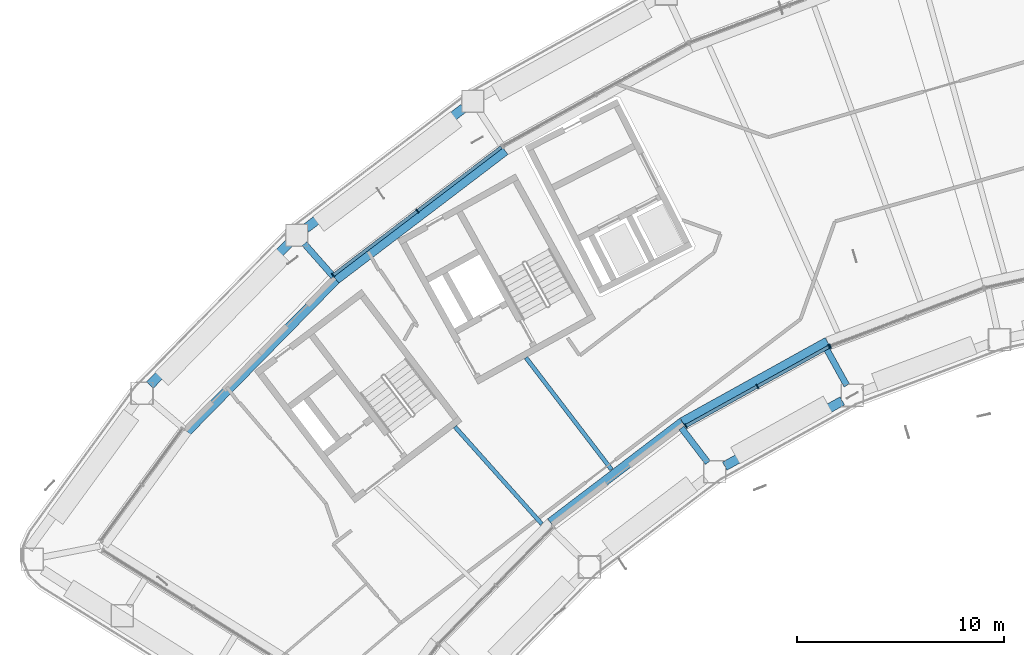
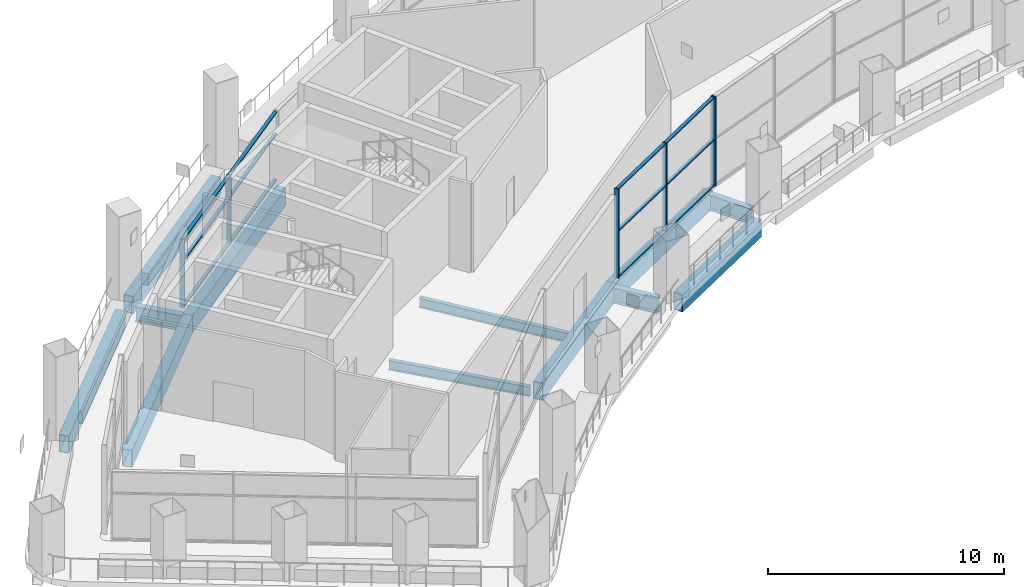
# One storey, part 3 of 28: 18 members, 12 beams, 3 elements without a shape of their own.
"""IFC4 building model written with IfcOpenShell, lengths in metres."""

from ifc_helpers import new_model, si_unit, direction, frame, origin, origin_2d, place, context, subcontext, project, spatial, rectangle, hollow_rectangle, i_section, extrude, material, layer, layer_set, material_profile, profile_set, type_object, element, aggregate, save


model = new_model("IFC4")

# Units and contexts
model_context = context("Model", 3, precision=1e-05, world=origin(), true_north=direction((0.0, 1.0)))
body_context = subcontext(model_context, "Body", "Model", "MODEL_VIEW")
ifc_project = project(units=[si_unit("LENGTHUNIT", "METRE"), si_unit("AREAUNIT", "SQUARE_METRE"), si_unit("VOLUMEUNIT", "CUBIC_METRE"), si_unit("PLANEANGLEUNIT", "RADIAN"), si_unit("MASSUNIT", "GRAM", prefix="KILO")], contexts=[model_context])

# Site, building, storey
site_placement = place(None, origin())
site = spatial("IfcSite", under=ifc_project, at=site_placement, CompositionType="ELEMENT")
building_placement = place(site_placement, origin())
building = spatial("IfcBuilding", under=site, at=building_placement, Name="Tuul Gate Civic Tower", CompositionType="ELEMENT")
storey_placement = place(building_placement, frame((0.0, 0.0, 128.699951171875)))
storey = spatial("IfcBuildingStorey", under=building, at=storey_placement, Name="Sky garden level 1", CompositionType="ELEMENT", Elevation=128.699951171875)

# Curtain wall, members
ifc_material_1 = material(Name="Aluminium", Category="aluminium")
ifc_layer_1 = layer(ifc_material_1, 0.199951171875)
ifc_layer_set_1 = layer_set([ifc_layer_1], Name="Aluminium")
curtain_wall_type_1 = type_object("IfcCurtainWallType", Name="Curtain wall CW3", PredefinedType="NOTDEFINED", material=ifc_layer_set_1)
curtain_wall_1_placement = place(storey_placement, origin())
curtain_wall_1 = element("IfcCurtainWall", 1, at=curtain_wall_1_placement, inside=storey, type_object=curtain_wall_type_1, Name="Curtain wall CW3", PredefinedType="NOTDEFINED")
ifc_material_2 = material(Name="Aluminium", Category="aluminium")
ifc_material_profile_1 = material_profile(ifc_material_2, rectangle(XDim=0.219970703125, YDim=0.06005859375, at=origin_2d()), Name="CW3 mullion")
ifc_profile_set_1 = profile_set([ifc_material_profile_1], Name="Aluminium")
member_type_1 = type_object("IfcMemberType", Name="CW3 mullion", PredefinedType="MULLION", material=ifc_profile_set_1)
member_1_placement = place(storey_placement, frame((-20.296875, -14.0205078125, 0.0), z_axis=(0.0, 0.0, 1.0), x_axis=(-0.484811561479, 0.874618631094, 0.0)))
member_1 = element("IfcMember", 2, at=member_1_placement, type_object=member_type_1, Name="Mullion", PredefinedType="MULLION", context=body_context, shape_type="SweptSolid", body=[
    extrude(rectangle(XDim=0.219970703125, YDim=0.06005859375, at=origin_2d()), origin(), (0.0, 0.0, 1.0), 4.60009765625),
])
member_2_placement = place(storey_placement, frame((-16.83837890625, -12.103515625, 0.0), z_axis=(0.0, 0.0, 1.0), x_axis=(-0.484811561479, 0.874618631094, 0.0)))
member_2 = element("IfcMember", 3, at=member_2_placement, type_object=member_type_1, Name="Mullion", PredefinedType="MULLION", context=body_context, shape_type="SweptSolid", body=[
    extrude(rectangle(XDim=0.219970703125, YDim=0.06005859375, at=origin_2d()), origin(), (0.0, 0.0, 1.0), 4.60009765625),
])
member_3_placement = place(storey_placement, frame((-13.380126953125, -10.1865234375, 0.0), z_axis=(0.0, 0.0, 1.0), x_axis=(-0.484811561479, 0.874618631094, 0.0)))
member_3 = element("IfcMember", 4, at=member_3_placement, type_object=member_type_1, Name="Mullion", PredefinedType="MULLION", context=body_context, shape_type="SweptSolid", body=[
    extrude(rectangle(XDim=0.219970703125, YDim=0.06005859375, at=origin_2d()), origin(), (0.0, 0.0, 1.0), 4.60009765625),
])

# Curtain wall, member
curtain_wall_2_placement = place(storey_placement, origin())
curtain_wall_2 = element("IfcCurtainWall", 5, at=curtain_wall_2_placement, inside=storey, type_object=curtain_wall_type_1, Name="Curtain wall CW3", PredefinedType="NOTDEFINED")
member_4_placement = place(storey_placement, frame((-13.325927734375, -10.161376953125, 0.0), z_axis=(0.0, 0.0, 1.0), x_axis=(-0.353734858569, 0.935345738127, 0.0)))
member_4 = element("IfcMember", 6, at=member_4_placement, type_object=member_type_1, Name="Mullion", PredefinedType="MULLION", context=body_context, shape_type="SweptSolid", body=[
    extrude(rectangle(XDim=0.219970703125, YDim=0.06005859375, at=origin_2d()), origin(), (0.0, 0.0, 1.0), 4.60009765625),
])
aggregate(curtain_wall_2, [member_4])

# Member
ifc_material_3 = material(Name="Aluminium", Category="aluminium")
ifc_material_profile_2 = material_profile(ifc_material_3, rectangle(XDim=0.159912109375, YDim=0.06005859375, at=origin_2d()), Name="CW3 transom")
ifc_profile_set_2 = profile_set([ifc_material_profile_2], Name="Aluminium")
member_type_2 = type_object("IfcMemberType", Name="CW3 transom", PredefinedType="USERDEFINED", material=ifc_profile_set_2)
member_5_placement = place(storey_placement, frame((-20.2705078125, -14.005859375, 0.030029296875), z_axis=(0.874635957461, 0.484780302731, 0.0), x_axis=(-0.484780302731, 0.874635957461, 0.0)))
member_5 = element("IfcMember", 7, at=member_5_placement, type_object=member_type_2, Name="Transom", ObjectType="TRANSOM", PredefinedType="USERDEFINED", context=body_context, shape_type="SweptSolid", body=[
    extrude(rectangle(XDim=0.159912109375, YDim=0.06005859375, at=origin_2d()), origin(), (0.0, 0.0, 1.0), 3.893798828125),
])

member_6_placement = place(storey_placement, frame((-20.2705078125, -14.005859375, 2.400146484375), z_axis=(0.874635957461, 0.484780302731, 0.0), x_axis=(-0.484780302731, 0.874635957461, 0.0)))
member_6 = element("IfcMember", 8, at=member_6_placement, type_object=member_type_2, Name="Transom", ObjectType="TRANSOM", PredefinedType="USERDEFINED", context=body_context, shape_type="SweptSolid", body=[
    extrude(rectangle(XDim=0.159912109375, YDim=0.06005859375, at=origin_2d()), origin(), (0.0, 0.0, 1.0), 3.893798828125),
])

member_7_placement = place(storey_placement, frame((-20.2705078125, -14.005859375, 4.570068359375), z_axis=(0.874635957461, 0.484780302731, 0.0), x_axis=(-0.484780302731, 0.874635957461, 0.0)))
member_7 = element("IfcMember", 9, at=member_7_placement, type_object=member_type_2, Name="Transom", ObjectType="TRANSOM", PredefinedType="USERDEFINED", context=body_context, shape_type="SweptSolid", body=[
    extrude(rectangle(XDim=0.159912109375, YDim=0.06005859375, at=origin_2d()), origin(), (0.0, 0.0, 1.0), 3.893798828125),
])

member_8_placement = place(storey_placement, frame((-16.812255859375, -12.0888671875, 0.030029296875), z_axis=(0.874635957461, 0.484780302731, 0.0), x_axis=(-0.484780302731, 0.874635957461, 0.0)))
member_8 = element("IfcMember", 10, at=member_8_placement, type_object=member_type_2, Name="Transom", ObjectType="TRANSOM", PredefinedType="USERDEFINED", context=body_context, shape_type="SweptSolid", body=[
    extrude(rectangle(XDim=0.159912109375, YDim=0.06005859375, at=origin_2d()), origin(), (0.0, 0.0, 1.0), 3.893798828125),
])

member_9_placement = place(storey_placement, frame((-16.812255859375, -12.0888671875, 2.400146484375), z_axis=(0.874635957461, 0.484780302731, 0.0), x_axis=(-0.484780302731, 0.874635957461, 0.0)))
member_9 = element("IfcMember", 11, at=member_9_placement, type_object=member_type_2, Name="Transom", ObjectType="TRANSOM", PredefinedType="USERDEFINED", context=body_context, shape_type="SweptSolid", body=[
    extrude(rectangle(XDim=0.159912109375, YDim=0.06005859375, at=origin_2d()), origin(), (0.0, 0.0, 1.0), 3.893798828125),
])

member_10_placement = place(storey_placement, frame((-16.812255859375, -12.0888671875, 4.570068359375), z_axis=(0.874635957461, 0.484780302731, 0.0), x_axis=(-0.484780302731, 0.874635957461, 0.0)))
member_10 = element("IfcMember", 12, at=member_10_placement, type_object=member_type_2, Name="Transom", ObjectType="TRANSOM", PredefinedType="USERDEFINED", context=body_context, shape_type="SweptSolid", body=[
    extrude(rectangle(XDim=0.159912109375, YDim=0.06005859375, at=origin_2d()), origin(), (0.0, 0.0, 1.0), 3.893798828125),
])

aggregate(curtain_wall_1, [member_1, member_2, member_3, member_5, member_6, member_7, member_8, member_9, member_10])

# Curtain wall, members
ifc_material_4 = material(Name="Aluminium", Category="aluminium")
ifc_layer_2 = layer(ifc_material_4, 0.199951171875)
ifc_layer_set_2 = layer_set([ifc_layer_2], Name="Aluminium")
curtain_wall_type_2 = type_object("IfcCurtainWallType", Name="Curtain wall CW3A", PredefinedType="NOTDEFINED", material=ifc_layer_set_2)
curtain_wall_3_placement = place(storey_placement, origin())
curtain_wall_3 = element("IfcCurtainWall", 13, at=curtain_wall_3_placement, inside=storey, type_object=curtain_wall_type_2, Name="Curtain wall CW3A", PredefinedType="NOTDEFINED")
ifc_material_5 = material(Name="Aluminium", Category="aluminium")
ifc_material_profile_3 = material_profile(ifc_material_5, rectangle(XDim=0.219970703125, YDim=0.06005859375, at=origin_2d()), Name="CW3A mullion")
ifc_profile_set_3 = profile_set([ifc_material_profile_3], Name="Aluminium")
member_type_3 = type_object("IfcMemberType", Name="CW3A mullion", PredefinedType="MULLION", material=ifc_profile_set_3)
member_11_placement = place(storey_placement, frame((-33.24609375, -3.638916015625, 0.0), z_axis=(0.0, 0.0, 1.0), x_axis=(0.60576239149, -0.795645602675, 0.0)))
member_11 = element("IfcMember", 14, at=member_11_placement, type_object=member_type_3, Name="Mullion", PredefinedType="MULLION", context=body_context, shape_type="SweptSolid", body=[
    extrude(rectangle(XDim=0.219970703125, YDim=0.06005859375, at=origin_2d()), origin(), (0.0, 0.0, 1.0), 3.545166015625),
])
member_12_placement = place(storey_placement, frame((-37.320068359375, -6.74072265625, 0.0), z_axis=(0.0, 0.0, 1.0), x_axis=(0.60576239149, -0.795645602675, 0.0)))
member_12 = element("IfcMember", 15, at=member_12_placement, type_object=member_type_3, Name="Mullion", PredefinedType="MULLION", context=body_context, shape_type="SweptSolid", body=[
    extrude(rectangle(XDim=0.219970703125, YDim=0.06005859375, at=origin_2d()), origin(), (0.0, 0.0, 1.0), 3.545166015625),
])
ifc_material_6 = material(Name="Aluminium", Category="aluminium")
ifc_material_profile_4 = material_profile(ifc_material_6, rectangle(XDim=0.159912109375, YDim=0.06005859375, at=origin_2d()), Name="CW3A transom")
ifc_profile_set_4 = profile_set([ifc_material_profile_4], Name="Aluminium")
member_type_4 = type_object("IfcMemberType", Name="CW3A transom", PredefinedType="USERDEFINED", material=ifc_profile_set_4)
member_13_placement = place(storey_placement, frame((-29.19580078125, -0.555419921875, 0.030029296875), z_axis=(-0.795648734773, -0.605758277578, 0.0), x_axis=(0.605758277578, -0.795648734773, 0.0)))
member_13 = element("IfcMember", 16, at=member_13_placement, type_object=member_type_4, Name="Transom", ObjectType="TRANSOM", PredefinedType="USERDEFINED", context=body_context, shape_type="SweptSolid", body=[
    extrude(rectangle(XDim=0.159912109375, YDim=0.06005859375, at=origin_2d()), origin(), (0.0, 0.0, 1.0), 5.060546875),
])
member_14_placement = place(storey_placement, frame((-29.19580078125, -0.555419921875, 2.400146484375), z_axis=(-0.795648734773, -0.605758277578, 0.0), x_axis=(0.605758277578, -0.795648734773, 0.0)))
member_14 = element("IfcMember", 17, at=member_14_placement, type_object=member_type_4, Name="Transom", ObjectType="TRANSOM", PredefinedType="USERDEFINED", context=body_context, shape_type="SweptSolid", body=[
    extrude(rectangle(XDim=0.159912109375, YDim=0.06005859375, at=origin_2d()), origin(), (0.0, 0.0, 1.0), 5.060546875),
])
member_15_placement = place(storey_placement, frame((-29.19580078125, -0.555419921875, 3.51513671875), z_axis=(-0.795648734773, -0.605758277578, 0.0), x_axis=(0.605758277578, -0.795648734773, 0.0)))
member_15 = element("IfcMember", 18, at=member_15_placement, type_object=member_type_4, Name="Transom", ObjectType="TRANSOM", PredefinedType="USERDEFINED", context=body_context, shape_type="SweptSolid", body=[
    extrude(rectangle(XDim=0.159912109375, YDim=0.06005859375, at=origin_2d()), origin(), (0.0, 0.0, 1.0), 5.060546875),
])
member_16_placement = place(storey_placement, frame((-33.269775390625, -3.6572265625, 0.030029296875), z_axis=(-0.795648734773, -0.605758277578, 0.0), x_axis=(0.605758277578, -0.795648734773, 0.0)))
member_16 = element("IfcMember", 19, at=member_16_placement, type_object=member_type_4, Name="Transom", ObjectType="TRANSOM", PredefinedType="USERDEFINED", context=body_context, shape_type="SweptSolid", body=[
    extrude(rectangle(XDim=0.159912109375, YDim=0.06005859375, at=origin_2d()), origin(), (0.0, 0.0, 1.0), 5.060546875),
])
member_17_placement = place(storey_placement, frame((-33.269775390625, -3.6572265625, 2.400146484375), z_axis=(-0.795648734773, -0.605758277578, 0.0), x_axis=(0.605758277578, -0.795648734773, 0.0)))
member_17 = element("IfcMember", 20, at=member_17_placement, type_object=member_type_4, Name="Transom", ObjectType="TRANSOM", PredefinedType="USERDEFINED", context=body_context, shape_type="SweptSolid", body=[
    extrude(rectangle(XDim=0.159912109375, YDim=0.06005859375, at=origin_2d()), origin(), (0.0, 0.0, 1.0), 5.060546875),
])
member_18_placement = place(storey_placement, frame((-33.269775390625, -3.6572265625, 3.51513671875), z_axis=(-0.795648734773, -0.605758277578, 0.0), x_axis=(0.605758277578, -0.795648734773, 0.0)))
member_18 = element("IfcMember", 21, at=member_18_placement, type_object=member_type_4, Name="Transom", ObjectType="TRANSOM", PredefinedType="USERDEFINED", context=body_context, shape_type="SweptSolid", body=[
    extrude(rectangle(XDim=0.159912109375, YDim=0.06005859375, at=origin_2d()), origin(), (0.0, 0.0, 1.0), 5.060546875),
])
aggregate(curtain_wall_3, [member_11, member_12, member_13, member_14, member_15, member_16, member_17, member_18])

# Beams
ifc_material_7 = material(Name="Steel S355", Category="steel")
ifc_material_profile_5 = material_profile(ifc_material_7, i_section(OverallWidth=0.199951171875, OverallDepth=0.5, WebThickness=0.010009765625, FlangeThickness=0.01611328125, at=origin_2d()), Name="PG500x200x10x16")
ifc_profile_set_5 = profile_set([ifc_material_profile_5], Name="Steel S355")
beam_type_1 = type_object("IfcBeamType", Name="STR-FLOOR BEAM-PG500x200x10x16", PredefinedType="BEAM", material=ifc_profile_set_5)
beam_1_placement = place(storey_placement, frame((-23.8818359375, -16.116455078125, -0.550048828125), z_axis=(-0.607358125827, 0.794428163519, 0.0), x_axis=(-0.794428163519, -0.607358125827, 0.0)))
element("IfcBeam", 22, at=beam_1_placement, inside=storey, type_object=beam_type_1, Name="Floor beam", PredefinedType="BEAM", context=body_context, shape_type="SweptSolid", body=[
    extrude(i_section(OverallWidth=0.199951171875, OverallDepth=0.5, WebThickness=0.010009765625, FlangeThickness=0.01611328125, at=origin_2d()), origin(), (0.0, 0.0, 1.0), 6.798095703125),
])
beam_2_placement = place(storey_placement, frame((-27.24560546875, -18.74267578125, -0.550048828125), z_axis=(-0.666505751807, 0.745499887866, 0.0), x_axis=(-0.745499887866, -0.666505751807, 0.0)))
element("IfcBeam", 23, at=beam_2_placement, inside=storey, type_object=beam_type_1, Name="Floor beam", PredefinedType="BEAM", context=body_context, shape_type="SweptSolid", body=[
    extrude(i_section(OverallWidth=0.199951171875, OverallDepth=0.5, WebThickness=0.010009765625, FlangeThickness=0.01611328125, at=origin_2d()), origin(), (0.0, 0.0, 1.0), 6.295654296875),
])
ifc_material_8 = material(Name="Steel S355", Category="steel")
ifc_material_profile_6 = material_profile(ifc_material_8, i_section(OverallWidth=0.300048828125, OverallDepth=0.800048828125, WebThickness=0.013916015625, FlangeThickness=0.02490234375, at=origin_2d()), Name="PG800x300x14x25")
ifc_profile_set_6 = profile_set([ifc_material_profile_6], Name="Steel S355")
beam_type_2 = type_object("IfcBeamType", Name="STR-FLOOR BEAM-PG800x300x14x25", PredefinedType="BEAM", material=ifc_profile_set_6)
beam_3_placement = place(storey_placement, frame((-38.705078125, -5.21630859375, -0.699951171875), z_axis=(0.661786335619, -0.749692500955, 0.0), x_axis=(0.749692500955, 0.661786335619, 0.0)))
element("IfcBeam", 24, at=beam_3_placement, inside=storey, type_object=beam_type_2, Name="Terrace beam", PredefinedType="BEAM", context=body_context, shape_type="SweptSolid", body=[
    extrude(i_section(OverallWidth=0.300048828125, OverallDepth=0.800048828125, WebThickness=0.013916015625, FlangeThickness=0.02490234375, at=origin_2d()), origin(), (0.0, 0.0, 1.0), 2.10791015625),
])
beam_4_placement = place(storey_placement, frame((-19.231201171875, -15.780517578125, -0.699951171875), z_axis=(-0.605787496975, 0.795626488064, 0.0), x_axis=(-0.795626488064, -0.605787496975, 0.0)))
element("IfcBeam", 25, at=beam_4_placement, inside=storey, type_object=beam_type_2, Name="Terrace beam", PredefinedType="BEAM", context=body_context, shape_type="SweptSolid", body=[
    extrude(i_section(OverallWidth=0.300048828125, OverallDepth=0.800048828125, WebThickness=0.013916015625, FlangeThickness=0.02490234375, at=origin_2d()), origin(), (0.0, 0.0, 1.0), 2.10009765625),
])
beam_5_placement = place(storey_placement, frame((-12.524658203125, -12.055908203125, -0.699951171875), z_axis=(-0.484852962981, 0.874595680465, 0.0), x_axis=(-0.874595680465, -0.484852962981, 0.0)))
element("IfcBeam", 26, at=beam_5_placement, inside=storey, type_object=beam_type_2, Name="Terrace beam", PredefinedType="BEAM", context=body_context, shape_type="SweptSolid", body=[
    extrude(i_section(OverallWidth=0.300048828125, OverallDepth=0.800048828125, WebThickness=0.013916015625, FlangeThickness=0.02490234375, at=origin_2d()), origin(), (0.0, 0.0, 1.0), 2.099853515625),
])
ifc_material_9 = material(Name="Steel S355", Category="steel")
ifc_material_profile_7 = material_profile(ifc_material_9, hollow_rectangle(XDim=0.449951171875, YDim=0.89990234375, WallThickness=0.02490234375, at=origin_2d()), Name="BOX900x450x25")
ifc_profile_set_7 = profile_set([ifc_material_profile_7], Name="Steel S355")
beam_type_3 = type_object("IfcBeamType", Name="STR-SPANDREL BEAM-BOX900x450x25", PredefinedType="BEAM", material=ifc_profile_set_7)
beam_6_placement = place(storey_placement, frame((-44.363037109375, -14.27734375, -0.75), z_axis=(0.699995549953, 0.714147204746, 0.0), x_axis=(-0.714147204746, 0.699995549953, 0.0)))
element("IfcBeam", 27, at=beam_6_placement, inside=storey, type_object=beam_type_3, Name="Spandrel beam", PredefinedType="BEAM", context=body_context, shape_type="SweptSolid", body=[
    extrude(hollow_rectangle(XDim=0.449951171875, YDim=0.89990234375, WallThickness=0.02490234375, at=origin_2d()), origin(), (0.0, 0.0, 1.0), 10.264892578125),
])
beam_7_placement = place(storey_placement, frame((-37.177734375, -6.94677734375, -0.75), z_axis=(0.795605870158, 0.605814575073, 0.0), x_axis=(-0.605814575073, 0.795605870158, 0.0)))
element("IfcBeam", 28, at=beam_7_placement, inside=storey, type_object=beam_type_3, Name="Spandrel beam", PredefinedType="BEAM", context=body_context, shape_type="SweptSolid", body=[
    extrude(hollow_rectangle(XDim=0.449951171875, YDim=0.89990234375, WallThickness=0.02490234375, at=origin_2d()), origin(), (0.0, 0.0, 1.0), 10.263916015625),
])
beam_8_placement = place(storey_placement, frame((-13.45849609375, -9.944091796875, -0.75), z_axis=(-0.874620085856, -0.484808937022, 0.0), x_axis=(0.484808937022, -0.874620085856, 0.0)))
element("IfcBeam", 29, at=beam_8_placement, inside=storey, type_object=beam_type_3, Name="Spandrel beam", PredefinedType="BEAM", context=body_context, shape_type="SweptSolid", body=[
    extrude(hollow_rectangle(XDim=0.449951171875, YDim=0.89990234375, WallThickness=0.02490234375, at=origin_2d()), origin(), (0.0, 0.0, 1.0), 8.00537109375),
])
beam_9_placement = place(storey_placement, frame((-20.460205078125, -13.8251953125, -0.75), z_axis=(-0.795601131997, -0.605820797567, 0.0), x_axis=(0.605820797567, -0.795601131997, 0.0)))
element("IfcBeam", 30, at=beam_9_placement, inside=storey, type_object=beam_type_3, Name="Spandrel beam", PredefinedType="BEAM", context=body_context, shape_type="SweptSolid", body=[
    extrude(hollow_rectangle(XDim=0.449951171875, YDim=0.89990234375, WallThickness=0.02490234375, at=origin_2d()), origin(), (0.0, 0.0, 1.0), 8.004150390625),
])
beam_10_placement = place(storey_placement, frame((-31.011474609375, 1.330810546875, -0.75), z_axis=(-0.795638245076, -0.605772055292, 0.0), x_axis=(0.605772055292, -0.795638245076, 0.0)))
element("IfcBeam", 31, at=beam_10_placement, inside=storey, type_object=beam_type_3, Name="Terrace edge beam", PredefinedType="BEAM", context=body_context, shape_type="SweptSolid", body=[
    extrude(hollow_rectangle(XDim=0.449951171875, YDim=0.89990234375, WallThickness=0.02490234375, at=origin_2d()), origin(), (0.0, 0.0, 1.0), 9.5771484375),
])
beam_11_placement = place(storey_placement, frame((-39.4541015625, -5.19677734375, -0.75), z_axis=(-0.699997238657, -0.714145549501, 0.0), x_axis=(0.714145549501, -0.699997238657, 0.0)))
element("IfcBeam", 32, at=beam_11_placement, inside=storey, type_object=beam_type_3, Name="Terrace edge beam", PredefinedType="BEAM", context=body_context, shape_type="SweptSolid", body=[
    extrude(hollow_rectangle(XDim=0.449951171875, YDim=0.89990234375, WallThickness=0.02490234375, at=origin_2d()), origin(), (0.0, 0.0, 1.0), 9.576904296875),
])
beam_12_placement = place(storey_placement, frame((-18.4169921875, -15.951416015625, -0.75), z_axis=(0.874596833749, 0.484850882639, 0.0), x_axis=(-0.484850882639, 0.874596833749, 0.0)))
element("IfcBeam", 33, at=beam_12_placement, inside=storey, type_object=beam_type_3, Name="Terrace edge beam", PredefinedType="BEAM", context=body_context, shape_type="SweptSolid", body=[
    extrude(hollow_rectangle(XDim=0.449951171875, YDim=0.89990234375, WallThickness=0.02490234375, at=origin_2d()), origin(), (0.0, 0.0, 1.0), 6.4921875),
])

save(model, "model.ifc")
